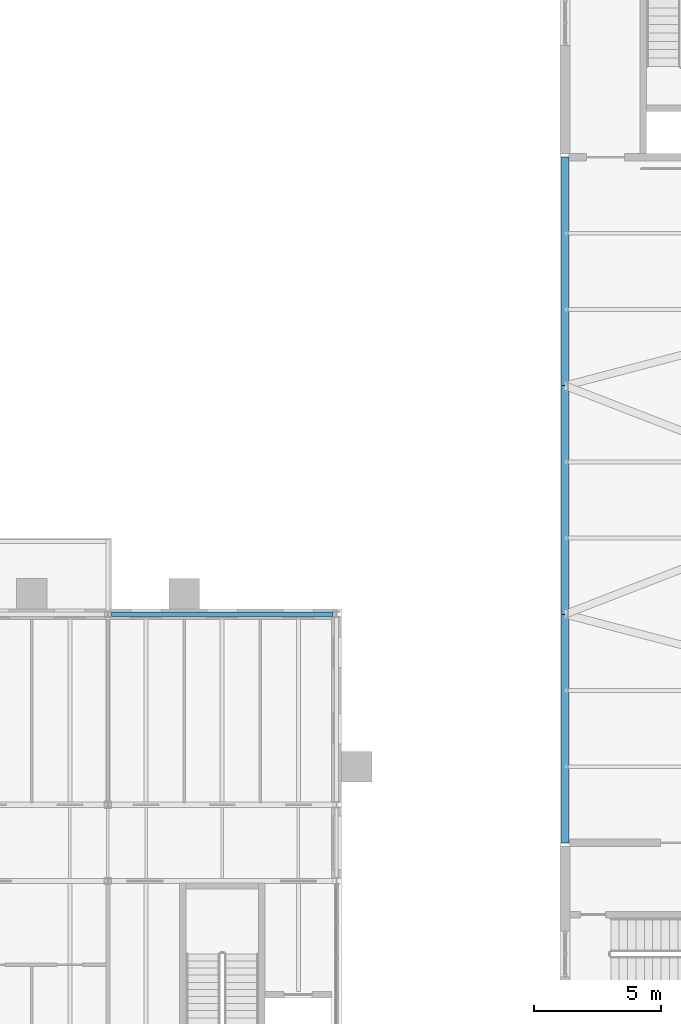
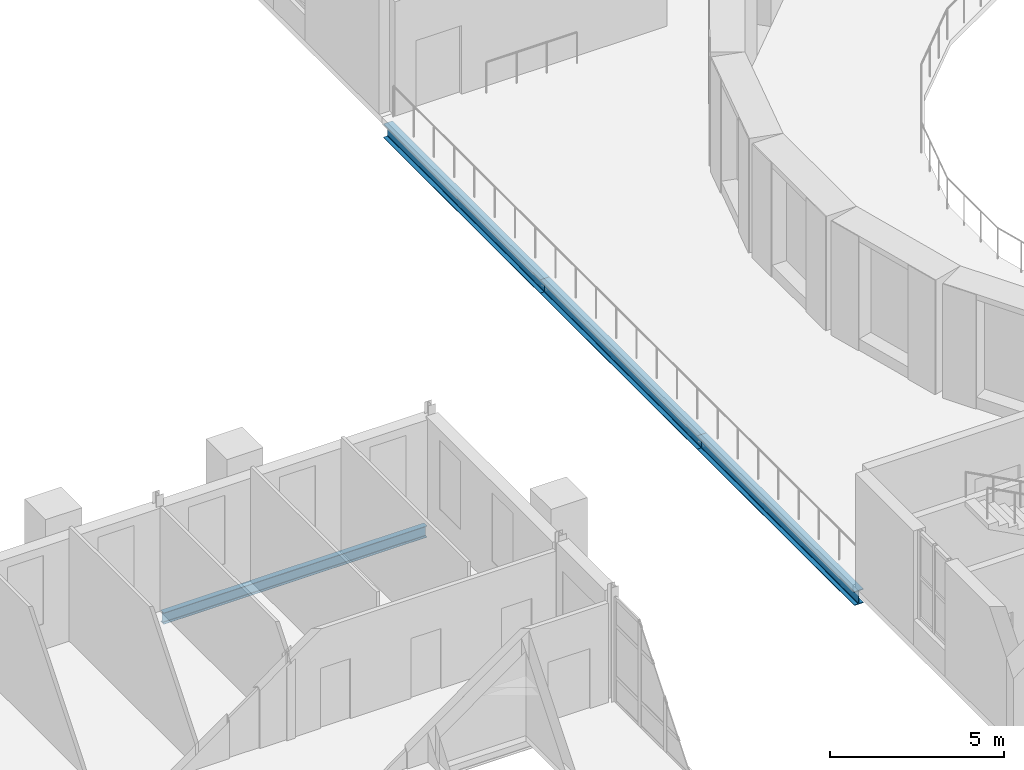
# One storey, part 38 of 154: 4 beams.
"""IFC4 building model written with IfcOpenShell, lengths in metres."""

from ifc_helpers import new_model, si_unit, direction, frame, origin, origin_2d, place, context, subcontext, project, spatial, i_section, extrude, material, material_profile, profile_set, type_object, element, save


model = new_model("IFC4")

# Units and contexts
model_context = context("Model", 3, precision=1e-05, world=origin(), true_north=direction((0.0, 1.0)))
body_context = subcontext(model_context, "Body", "Model", "MODEL_VIEW")
ifc_project = project(units=[si_unit("LENGTHUNIT", "METRE"), si_unit("AREAUNIT", "SQUARE_METRE"), si_unit("VOLUMEUNIT", "CUBIC_METRE"), si_unit("PLANEANGLEUNIT", "RADIAN"), si_unit("MASSUNIT", "GRAM", prefix="KILO")], contexts=[model_context])

# Site, building, storey
site_placement = place(None, origin())
site = spatial("IfcSite", under=ifc_project, at=site_placement, CompositionType="ELEMENT")
building_placement = place(site_placement, origin())
building = spatial("IfcBuilding", under=site, at=building_placement, Name="Golden Quay Civic Hall", CompositionType="ELEMENT")
storey_placement = place(building_placement, frame((0.0, 0.0, 14.39990234375)))
storey = spatial("IfcBuildingStorey", under=building, at=storey_placement, Name="L03", CompositionType="ELEMENT", Elevation=14.39990234375)

# Beams
ifc_material_1 = material(Name="Steel S355", Category="steel")
ifc_material_profile_1 = material_profile(ifc_material_1, i_section(OverallWidth=0.179931640625, OverallDepth=0.39990234375, WebThickness=0.008544921875, FlangeThickness=0.013427734375, FilletRadius=0.02099609375, at=origin_2d()), Name="IPE 400")
ifc_profile_set_1 = profile_set([ifc_material_profile_1], Name="Steel S355")
beam_type_1 = type_object("IfcBeamType", Name="Steel beam IPE 400", PredefinedType="BEAM", material=ifc_profile_set_1)
beam_placement = place(storey_placement, frame((45.139892578125, 81.0, -0.39990234375), z_axis=(1.0, 0.0, 0.0), x_axis=(0.0, 1.0, 0.0)))
element("IfcBeam", 1, at=beam_placement, inside=storey, type_object=beam_type_1, Name="Beam L81-45", PredefinedType="BEAM", context=body_context, shape_type="SweptSolid", body=[
    extrude(i_section(OverallWidth=0.179931640625, OverallDepth=0.39990234375, WebThickness=0.008544921875, FlangeThickness=0.013427734375, FilletRadius=0.02099609375, at=origin_2d()), origin(), (0.0, 0.0, 1.0), 8.72021484375),
])
ifc_material_2 = material(Name="Steel S355", Category="steel")
ifc_material_profile_2 = material_profile(ifc_material_2, i_section(OverallWidth=0.300048828125, OverallDepth=0.489990234375, WebThickness=0.011962890625, FlangeThickness=0.02294921875, FilletRadius=0.027099609375, at=origin_2d()), Name="HEA 500")
ifc_profile_set_2 = profile_set([ifc_material_profile_2], Name="Steel S355")
beam_type_2 = type_object("IfcBeamType", Name="Steel girder HEA 500", PredefinedType="BEAM", material=ifc_profile_set_2)
for number, where, z_axis, x_axis, name in (
    (2, (63.0, 72.0, -0.494873046875), (0.0, 1.0, 0.0), (-1.0, 0.0, 0.0), "Perimeter girder 3"),
    (3, (63.0, 81.0, -0.494873046875), (0.0, 1.0, 0.0), (-1.0, 0.0, 0.0), "Perimeter girder 7"),
    (4, (63.0, 90.0, -0.494873046875), (0.0, 1.0, 0.0), (-1.0, 0.0, 0.0), "Perimeter girder 11"),
):
    element("IfcBeam", number, at=place(storey_placement, frame(where, z_axis=z_axis, x_axis=x_axis)), inside=storey, type_object=beam_type_2, Name=name, PredefinedType="BEAM", context=body_context, shape_type="SweptSolid", body=[
        extrude(i_section(OverallWidth=0.300048828125, OverallDepth=0.489990234375, WebThickness=0.011962890625, FlangeThickness=0.02294921875, FilletRadius=0.027099609375, at=origin_2d()), origin(), (0.0, 0.0, 1.0), 9.0),
    ])

save(model, "model.ifc")
